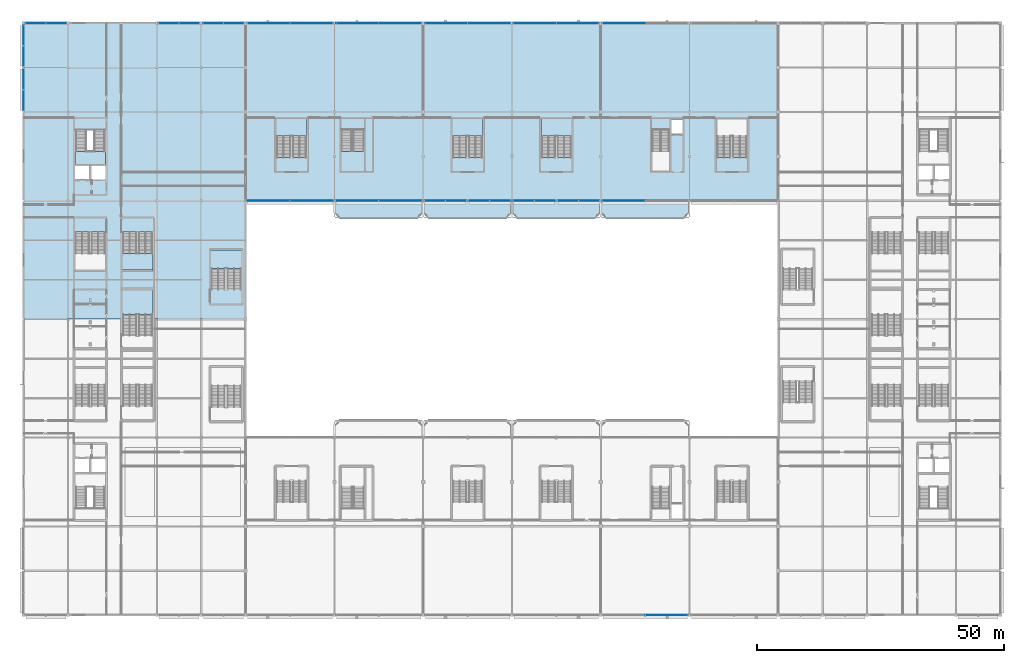
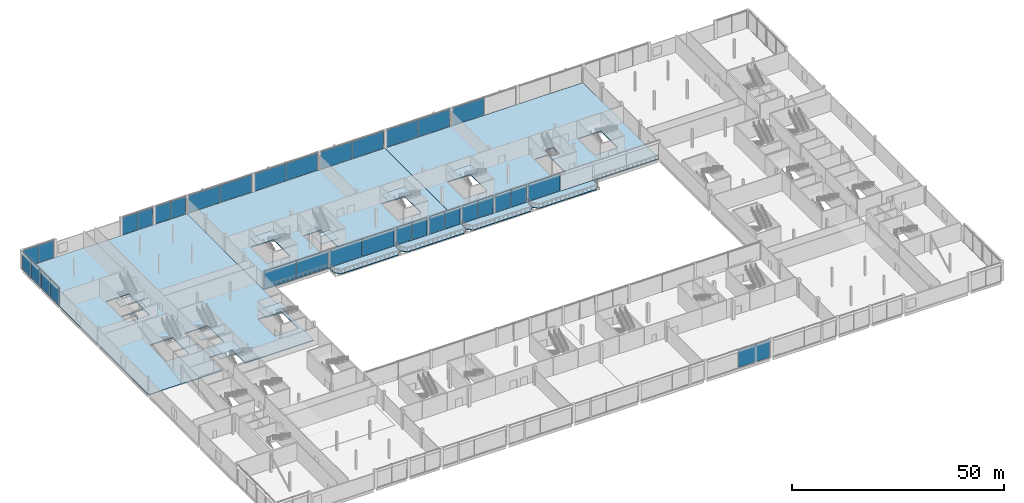
# One storey, part 61 of 113: 33 plates, 15 slabs, 26 elements without a shape of their own.
"""IFC4 building model written with IfcOpenShell, lengths in metres."""

from ifc_helpers import new_model, si_unit, direction, frame, origin, origin_2d, place, context, subcontext, project, spatial, polyline, rectangle, outline, extrude, material, layer, layer_set, type_object, element, aggregate, save


model = new_model("IFC4")

# Units and contexts
model_context = context("Model", 3, precision=1e-05, world=origin(), true_north=direction((0.0, 1.0)))
body_context = subcontext(model_context, "Body", "Model", "MODEL_VIEW")
ifc_project = project(units=[si_unit("LENGTHUNIT", "METRE"), si_unit("AREAUNIT", "SQUARE_METRE"), si_unit("VOLUMEUNIT", "CUBIC_METRE"), si_unit("PLANEANGLEUNIT", "RADIAN"), si_unit("MASSUNIT", "GRAM", prefix="KILO")], contexts=[model_context])

# Site, building, storey
site_placement = place(None, origin())
site = spatial("IfcSite", under=ifc_project, at=site_placement, CompositionType="ELEMENT")
building_placement = place(site_placement, origin())
building = spatial("IfcBuilding", under=site, at=building_placement, Name="Kisiwana Market Hall", CompositionType="ELEMENT")
storey_placement = place(building_placement, frame((0.0, 0.0, 6.0)))
storey = spatial("IfcBuildingStorey", under=building, at=storey_placement, Name="L01", CompositionType="ELEMENT", Elevation=6.0)

# Curtain wall, plates
ifc_material_1 = material(Name="Double-glazed solar-control low-E IGU", Category="glass")
ifc_layer_1 = layer(ifc_material_1, 0.159912109375)
ifc_layer_set_1 = layer_set([ifc_layer_1], Name="CW-FC-S-7600")
curtain_wall_type_1 = type_object("IfcCurtainWallType", Name="CW-FC-S-7600", PredefinedType="USERDEFINED", material=ifc_layer_set_1)
curtain_wall_1_placement = place(storey_placement, origin())
curtain_wall_1 = element("IfcCurtainWall", 1, at=curtain_wall_1_placement, inside=storey, type_object=curtain_wall_type_1, Name="Unitised curtain wall CW-025 (L01)", ObjectType="UNITISED CURTAIN WALL", PredefinedType="USERDEFINED")
ifc_material_2 = material(Name="Double-glazed solar-control low-E IGU", Category="glass")
ifc_layer_2 = layer(ifc_material_2, 0.02392578125)
ifc_layer_set_2 = layer_set([ifc_layer_2], Name="PL-IGU-24")
plate_type_1 = type_object("IfcPlateType", Name="PL-IGU-24", PredefinedType="CURTAIN_PANEL", material=ifc_layer_set_2)
plate_1_placement = place(storey_placement, frame((49.617919921875, 84.0, 0.06005859375), z_axis=(0.0, 0.0, 1.0), x_axis=(1.0, 0.0, 0.0)))
plate_1 = element("IfcPlate", 2, at=plate_1_placement, type_object=plate_type_1, Name="CW-025 panel 1.1", PredefinedType="CURTAIN_PANEL", context=body_context, shape_type="SweptSolid", body=[
    extrude(rectangle(XDim=8.7041015625, YDim=0.02392578125, at=origin_2d()), origin(), (0.0, 0.0, 1.0), 5.030029296875),
])
plate_2_placement = place(storey_placement, frame((58.382080078125, 84.0, 0.06005859375), z_axis=(0.0, 0.0, 1.0), x_axis=(1.0, 0.0, 0.0)))
plate_2 = element("IfcPlate", 3, at=plate_2_placement, type_object=plate_type_1, Name="CW-025 panel 2.1", PredefinedType="CURTAIN_PANEL", context=body_context, shape_type="SweptSolid", body=[
    extrude(rectangle(XDim=8.7041015625, YDim=0.02392578125, at=origin_2d()), origin(), (0.0, 0.0, 1.0), 5.030029296875),
])
aggregate(curtain_wall_1, [plate_1, plate_2])

curtain_wall_2_placement = place(storey_placement, origin())
curtain_wall_2 = element("IfcCurtainWall", 4, at=curtain_wall_2_placement, inside=storey, type_object=curtain_wall_type_1, Name="Unitised curtain wall CW-027 (L01)", ObjectType="UNITISED CURTAIN WALL", PredefinedType="USERDEFINED")
plate_3_placement = place(storey_placement, frame((83.367919921875, 84.0, 0.06005859375), z_axis=(0.0, 0.0, 1.0), x_axis=(1.0, 0.0, 0.0)))
plate_3 = element("IfcPlate", 5, at=plate_3_placement, type_object=plate_type_1, Name="CW-027 panel 1.1", PredefinedType="CURTAIN_PANEL", context=body_context, shape_type="SweptSolid", body=[
    extrude(rectangle(XDim=4.2041015625, YDim=0.02392578125, at=origin_2d()), origin(), (0.0, 0.0, 1.0), 5.030029296875),
])
plate_4_placement = place(storey_placement, frame((87.632080078125, 84.0, 0.06005859375), z_axis=(0.0, 0.0, 1.0), x_axis=(1.0, 0.0, 0.0)))
plate_4 = element("IfcPlate", 6, at=plate_4_placement, type_object=plate_type_1, Name="CW-027 panel 2.1", PredefinedType="CURTAIN_PANEL", context=body_context, shape_type="SweptSolid", body=[
    extrude(rectangle(XDim=4.2041015625, YDim=0.02392578125, at=origin_2d()), origin(), (0.0, 0.0, 1.0), 5.030029296875),
])
aggregate(curtain_wall_2, [plate_3, plate_4])

curtain_wall_3_placement = place(storey_placement, origin())
curtain_wall_3 = element("IfcCurtainWall", 7, at=curtain_wall_3_placement, inside=storey, type_object=curtain_wall_type_1, Name="Unitised curtain wall CW-029 (L01)", ObjectType="UNITISED CURTAIN WALL", PredefinedType="USERDEFINED")
plate_5_placement = place(storey_placement, frame((101.367919921875, 84.0, 0.06005859375), z_axis=(0.0, 0.0, 1.0), x_axis=(1.0, 0.0, 0.0)))
plate_5 = element("IfcPlate", 8, at=plate_5_placement, type_object=plate_type_1, Name="CW-029 panel 1.1", PredefinedType="CURTAIN_PANEL", context=body_context, shape_type="SweptSolid", body=[
    extrude(rectangle(XDim=4.2041015625, YDim=0.02392578125, at=origin_2d()), origin(), (0.0, 0.0, 1.0), 5.030029296875),
])
plate_6_placement = place(storey_placement, frame((105.632080078125, 84.0, 0.06005859375), z_axis=(0.0, 0.0, 1.0), x_axis=(1.0, 0.0, 0.0)))
plate_6 = element("IfcPlate", 9, at=plate_6_placement, type_object=plate_type_1, Name="CW-029 panel 2.1", PredefinedType="CURTAIN_PANEL", context=body_context, shape_type="SweptSolid", body=[
    extrude(rectangle(XDim=4.2041015625, YDim=0.02392578125, at=origin_2d()), origin(), (0.0, 0.0, 1.0), 5.030029296875),
])
aggregate(curtain_wall_3, [plate_5, plate_6])

# Curtain wall, plate
curtain_wall_4_placement = place(storey_placement, origin())
curtain_wall_4 = element("IfcCurtainWall", 10, at=curtain_wall_4_placement, inside=storey, type_object=curtain_wall_type_1, Name="Unitised curtain wall CW-031 (L01)", ObjectType="UNITISED CURTAIN WALL", PredefinedType="USERDEFINED")
plate_7_placement = place(storey_placement, frame((121.617919921875, 84.0, 0.06005859375), z_axis=(0.0, 0.0, 1.0), x_axis=(1.0, 0.0, 0.0)))
plate_7 = element("IfcPlate", 11, at=plate_7_placement, type_object=plate_type_1, Name="CW-031 panel 1.1", PredefinedType="CURTAIN_PANEL", context=body_context, shape_type="SweptSolid", body=[
    extrude(rectangle(XDim=8.7041015625, YDim=0.02392578125, at=origin_2d()), origin(), (0.0, 0.0, 1.0), 5.030029296875),
])
aggregate(curtain_wall_4, [plate_7])

# Curtain wall, plates
ifc_material_3 = material(Name="Double-glazed solar-control low-E IGU", Category="glass")
ifc_layer_3 = layer(ifc_material_3, 0.159912109375)
ifc_layer_set_3 = layer_set([ifc_layer_3], Name="CW-FC-N-8100")
curtain_wall_type_2 = type_object("IfcCurtainWallType", Name="CW-FC-N-8100", PredefinedType="USERDEFINED", material=ifc_layer_set_3)
curtain_wall_5_placement = place(storey_placement, origin())
curtain_wall_5 = element("IfcCurtainWall", 12, at=curtain_wall_5_placement, inside=storey, type_object=curtain_wall_type_2, Name="Unitised curtain wall CW-033 (L01)", ObjectType="UNITISED CURTAIN WALL", PredefinedType="USERDEFINED")
plate_8_placement = place(storey_placement, frame((2.427490234375, 120.0, 0.06005859375), z_axis=(0.0, 0.0, 1.0), x_axis=(1.0, 0.0, 0.0)))
plate_8 = element("IfcPlate", 13, at=plate_8_placement, type_object=plate_type_1, Name="CW-033 panel 1.1", PredefinedType="CURTAIN_PANEL", context=body_context, shape_type="SweptSolid", body=[
    extrude(rectangle(XDim=4.0849609375, YDim=0.02392578125, at=origin_2d()), origin(), (0.0, 0.0, 1.0), 5.030029296875),
])
plate_9_placement = place(storey_placement, frame((6.572509765625, 120.0, 0.06005859375), z_axis=(0.0, 0.0, 1.0), x_axis=(1.0, 0.0, 0.0)))
plate_9 = element("IfcPlate", 14, at=plate_9_placement, type_object=plate_type_1, Name="CW-033 panel 2.1", PredefinedType="CURTAIN_PANEL", context=body_context, shape_type="SweptSolid", body=[
    extrude(rectangle(XDim=4.0849609375, YDim=0.02392578125, at=origin_2d()), origin(), (0.0, 0.0, 1.0), 5.030029296875),
])
aggregate(curtain_wall_5, [plate_8, plate_9])

curtain_wall_6_placement = place(storey_placement, origin())
curtain_wall_6 = element("IfcCurtainWall", 15, at=curtain_wall_6_placement, inside=storey, type_object=curtain_wall_type_2, Name="Unitised curtain wall CW-035 (L01)", ObjectType="UNITISED CURTAIN WALL", PredefinedType="USERDEFINED")
plate_10_placement = place(storey_placement, frame((38.427490234375, 120.0, 0.06005859375), z_axis=(0.0, 0.0, 1.0), x_axis=(1.0, 0.0, 0.0)))
plate_10 = element("IfcPlate", 16, at=plate_10_placement, type_object=plate_type_1, Name="CW-035 panel 1.1", PredefinedType="CURTAIN_PANEL", context=body_context, shape_type="SweptSolid", body=[
    extrude(rectangle(XDim=4.0849609375, YDim=0.02392578125, at=origin_2d()), origin(), (0.0, 0.0, 1.0), 5.030029296875),
])
plate_11_placement = place(storey_placement, frame((42.572509765625, 120.0, 0.06005859375), z_axis=(0.0, 0.0, 1.0), x_axis=(1.0, 0.0, 0.0)))
plate_11 = element("IfcPlate", 17, at=plate_11_placement, type_object=plate_type_1, Name="CW-035 panel 2.1", PredefinedType="CURTAIN_PANEL", context=body_context, shape_type="SweptSolid", body=[
    extrude(rectangle(XDim=4.0849609375, YDim=0.02392578125, at=origin_2d()), origin(), (0.0, 0.0, 1.0), 5.030029296875),
])
aggregate(curtain_wall_6, [plate_10, plate_11])

curtain_wall_7_placement = place(storey_placement, origin())
curtain_wall_7 = element("IfcCurtainWall", 18, at=curtain_wall_7_placement, inside=storey, type_object=curtain_wall_type_2, Name="Unitised curtain wall CW-037 (L01)", ObjectType="UNITISED CURTAIN WALL", PredefinedType="USERDEFINED")
plate_12_placement = place(storey_placement, frame((67.677490234375, 120.0, 0.06005859375), z_axis=(0.0, 0.0, 1.0), x_axis=(1.0, 0.0, 0.0)))
plate_12 = element("IfcPlate", 19, at=plate_12_placement, type_object=plate_type_1, Name="CW-037 panel 1.1", PredefinedType="CURTAIN_PANEL", context=body_context, shape_type="SweptSolid", body=[
    extrude(rectangle(XDim=8.5849609375, YDim=0.02392578125, at=origin_2d()), origin(), (0.0, 0.0, 1.0), 5.030029296875),
])
plate_13_placement = place(storey_placement, frame((76.322509765625, 120.0, 0.06005859375), z_axis=(0.0, 0.0, 1.0), x_axis=(1.0, 0.0, 0.0)))
plate_13 = element("IfcPlate", 20, at=plate_13_placement, type_object=plate_type_1, Name="CW-037 panel 2.1", PredefinedType="CURTAIN_PANEL", context=body_context, shape_type="SweptSolid", body=[
    extrude(rectangle(XDim=8.5849609375, YDim=0.02392578125, at=origin_2d()), origin(), (0.0, 0.0, 1.0), 5.030029296875),
])
aggregate(curtain_wall_7, [plate_12, plate_13])

curtain_wall_8_placement = place(storey_placement, origin())
curtain_wall_8 = element("IfcCurtainWall", 21, at=curtain_wall_8_placement, inside=storey, type_object=curtain_wall_type_2, Name="Unitised curtain wall CW-039 (L01)", ObjectType="UNITISED CURTAIN WALL", PredefinedType="USERDEFINED")
plate_14_placement = place(storey_placement, frame((103.677490234375, 120.0, 0.06005859375), z_axis=(0.0, 0.0, 1.0), x_axis=(1.0, 0.0, 0.0)))
plate_14 = element("IfcPlate", 22, at=plate_14_placement, type_object=plate_type_1, Name="CW-039 panel 1.1", PredefinedType="CURTAIN_PANEL", context=body_context, shape_type="SweptSolid", body=[
    extrude(rectangle(XDim=8.5849609375, YDim=0.02392578125, at=origin_2d()), origin(), (0.0, 0.0, 1.0), 5.030029296875),
])
plate_15_placement = place(storey_placement, frame((112.322509765625, 120.0, 0.06005859375), z_axis=(0.0, 0.0, 1.0), x_axis=(1.0, 0.0, 0.0)))
plate_15 = element("IfcPlate", 23, at=plate_15_placement, type_object=plate_type_1, Name="CW-039 panel 2.1", PredefinedType="CURTAIN_PANEL", context=body_context, shape_type="SweptSolid", body=[
    extrude(rectangle(XDim=8.5849609375, YDim=0.02392578125, at=origin_2d()), origin(), (0.0, 0.0, 1.0), 5.030029296875),
])
aggregate(curtain_wall_8, [plate_14, plate_15])

curtain_wall_9_placement = place(storey_placement, origin())
curtain_wall_9 = element("IfcCurtainWall", 24, at=curtain_wall_9_placement, inside=storey, type_object=curtain_wall_type_1, Name="Unitised curtain wall CW-047 (L01)", ObjectType="UNITISED CURTAIN WALL", PredefinedType="USERDEFINED")
plate_16_placement = place(storey_placement, frame((0.0, 104.37744140625, 0.06005859375), z_axis=(0.0, 0.0, 1.0), x_axis=(0.0, 1.0, 0.0)))
plate_16 = element("IfcPlate", 25, at=plate_16_placement, type_object=plate_type_1, Name="CW-047 panel 1.1", PredefinedType="CURTAIN_PANEL", context=body_context, shape_type="SweptSolid", body=[
    extrude(rectangle(XDim=4.19970703125, YDim=0.02392578125, at=origin_2d()), origin(), (0.0, 0.0, 1.0), 5.030029296875),
])
plate_17_placement = place(storey_placement, frame((0.0, 108.636962890625, 0.06005859375), z_axis=(0.0, 0.0, 1.0), x_axis=(0.0, 1.0, 0.0)))
plate_17 = element("IfcPlate", 26, at=plate_17_placement, type_object=plate_type_1, Name="CW-047 panel 2.1", PredefinedType="CURTAIN_PANEL", context=body_context, shape_type="SweptSolid", body=[
    extrude(rectangle(XDim=4.19970703125, YDim=0.02392578125, at=origin_2d()), origin(), (0.0, 0.0, 1.0), 5.030029296875),
])
aggregate(curtain_wall_9, [plate_16, plate_17])

# Curtain wall, plate
curtain_wall_10_placement = place(storey_placement, origin())
curtain_wall_10 = element("IfcCurtainWall", 27, at=curtain_wall_10_placement, inside=storey, type_object=curtain_wall_type_1, Name="Unitised curtain wall CW-012 (L01)", ObjectType="UNITISED CURTAIN WALL", PredefinedType="USERDEFINED")
ifc_material_4 = material(Name="Double-glazed acoustic laminated IGU", Category="glass")
ifc_layer_4 = layer(ifc_material_4, 0.028076171875)
ifc_layer_set_4 = layer_set([ifc_layer_4], Name="PL-IGU-28")
plate_type_2 = type_object("IfcPlateType", Name="PL-IGU-28", PredefinedType="CURTAIN_PANEL", material=ifc_layer_set_4)
plate_18_placement = place(storey_placement, frame((130.322509765625, 0.0, 0.06005859375), z_axis=(0.0, 0.0, 1.0), x_axis=(1.0, 0.0, 0.0)))
plate_18 = element("IfcPlate", 28, at=plate_18_placement, type_object=plate_type_2, Name="CW-012 panel 2.1", PredefinedType="CURTAIN_PANEL", context=body_context, shape_type="SweptSolid", body=[
    extrude(rectangle(XDim=8.5849609375, YDim=0.028076171875, at=origin_2d()), origin(), (0.0, 0.0, 1.0), 5.030029296875),
])
aggregate(curtain_wall_10, [plate_18])

# Curtain wall, plates
curtain_wall_11_placement = place(storey_placement, origin())
curtain_wall_11 = element("IfcCurtainWall", 29, at=curtain_wall_11_placement, inside=storey, type_object=curtain_wall_type_1, Name="Unitised curtain wall CW-026 (L01)", ObjectType="UNITISED CURTAIN WALL", PredefinedType="USERDEFINED")
plate_19_placement = place(storey_placement, frame((67.617919921875, 84.0, 0.06005859375), z_axis=(0.0, 0.0, 1.0), x_axis=(1.0, 0.0, 0.0)))
plate_19 = element("IfcPlate", 30, at=plate_19_placement, type_object=plate_type_2, Name="CW-026 panel 1.1", PredefinedType="CURTAIN_PANEL", context=body_context, shape_type="SweptSolid", body=[
    extrude(rectangle(XDim=8.7041015625, YDim=0.028076171875, at=origin_2d()), origin(), (0.0, 0.0, 1.0), 5.030029296875),
])
plate_20_placement = place(storey_placement, frame((76.382080078125, 84.0, 0.06005859375), z_axis=(0.0, 0.0, 1.0), x_axis=(1.0, 0.0, 0.0)))
plate_20 = element("IfcPlate", 31, at=plate_20_placement, type_object=plate_type_2, Name="CW-026 panel 2.1", PredefinedType="CURTAIN_PANEL", context=body_context, shape_type="SweptSolid", body=[
    extrude(rectangle(XDim=8.7041015625, YDim=0.028076171875, at=origin_2d()), origin(), (0.0, 0.0, 1.0), 5.030029296875),
])
aggregate(curtain_wall_11, [plate_19, plate_20])

curtain_wall_12_placement = place(storey_placement, origin())
curtain_wall_12 = element("IfcCurtainWall", 32, at=curtain_wall_12_placement, inside=storey, type_object=curtain_wall_type_1, Name="Unitised curtain wall CW-028 (L01)", ObjectType="UNITISED CURTAIN WALL", PredefinedType="USERDEFINED")
plate_21_placement = place(storey_placement, frame((92.367919921875, 84.0, 0.06005859375), z_axis=(0.0, 0.0, 1.0), x_axis=(1.0, 0.0, 0.0)))
plate_21 = element("IfcPlate", 33, at=plate_21_placement, type_object=plate_type_2, Name="CW-028 panel 1.1", PredefinedType="CURTAIN_PANEL", context=body_context, shape_type="SweptSolid", body=[
    extrude(rectangle(XDim=4.2041015625, YDim=0.028076171875, at=origin_2d()), origin(), (0.0, 0.0, 1.0), 5.030029296875),
])
plate_22_placement = place(storey_placement, frame((96.632080078125, 84.0, 0.06005859375), z_axis=(0.0, 0.0, 1.0), x_axis=(1.0, 0.0, 0.0)))
plate_22 = element("IfcPlate", 34, at=plate_22_placement, type_object=plate_type_2, Name="CW-028 panel 2.1", PredefinedType="CURTAIN_PANEL", context=body_context, shape_type="SweptSolid", body=[
    extrude(rectangle(XDim=4.2041015625, YDim=0.028076171875, at=origin_2d()), origin(), (0.0, 0.0, 1.0), 5.030029296875),
])
aggregate(curtain_wall_12, [plate_21, plate_22])

curtain_wall_13_placement = place(storey_placement, origin())
curtain_wall_13 = element("IfcCurtainWall", 35, at=curtain_wall_13_placement, inside=storey, type_object=curtain_wall_type_1, Name="Unitised curtain wall CW-030 (L01)", ObjectType="UNITISED CURTAIN WALL", PredefinedType="USERDEFINED")
plate_23_placement = place(storey_placement, frame((110.367919921875, 84.0, 0.06005859375), z_axis=(0.0, 0.0, 1.0), x_axis=(1.0, 0.0, 0.0)))
plate_23 = element("IfcPlate", 36, at=plate_23_placement, type_object=plate_type_2, Name="CW-030 panel 1.1", PredefinedType="CURTAIN_PANEL", context=body_context, shape_type="SweptSolid", body=[
    extrude(rectangle(XDim=4.2041015625, YDim=0.028076171875, at=origin_2d()), origin(), (0.0, 0.0, 1.0), 5.030029296875),
])
plate_24_placement = place(storey_placement, frame((114.632080078125, 84.0, 0.06005859375), z_axis=(0.0, 0.0, 1.0), x_axis=(1.0, 0.0, 0.0)))
plate_24 = element("IfcPlate", 37, at=plate_24_placement, type_object=plate_type_2, Name="CW-030 panel 2.1", PredefinedType="CURTAIN_PANEL", context=body_context, shape_type="SweptSolid", body=[
    extrude(rectangle(XDim=4.2041015625, YDim=0.028076171875, at=origin_2d()), origin(), (0.0, 0.0, 1.0), 5.030029296875),
])
aggregate(curtain_wall_13, [plate_23, plate_24])

curtain_wall_14_placement = place(storey_placement, origin())
curtain_wall_14 = element("IfcCurtainWall", 38, at=curtain_wall_14_placement, inside=storey, type_object=curtain_wall_type_2, Name="Unitised curtain wall CW-034 (L01)", ObjectType="UNITISED CURTAIN WALL", PredefinedType="USERDEFINED")
plate_25_placement = place(storey_placement, frame((29.427490234375, 120.0, 0.06005859375), z_axis=(0.0, 0.0, 1.0), x_axis=(1.0, 0.0, 0.0)))
plate_25 = element("IfcPlate", 39, at=plate_25_placement, type_object=plate_type_2, Name="CW-034 panel 1.1", PredefinedType="CURTAIN_PANEL", context=body_context, shape_type="SweptSolid", body=[
    extrude(rectangle(XDim=4.0849609375, YDim=0.028076171875, at=origin_2d()), origin(), (0.0, 0.0, 1.0), 5.030029296875),
])
plate_26_placement = place(storey_placement, frame((33.572509765625, 120.0, 0.06005859375), z_axis=(0.0, 0.0, 1.0), x_axis=(1.0, 0.0, 0.0)))
plate_26 = element("IfcPlate", 40, at=plate_26_placement, type_object=plate_type_2, Name="CW-034 panel 2.1", PredefinedType="CURTAIN_PANEL", context=body_context, shape_type="SweptSolid", body=[
    extrude(rectangle(XDim=4.0849609375, YDim=0.028076171875, at=origin_2d()), origin(), (0.0, 0.0, 1.0), 5.030029296875),
])
aggregate(curtain_wall_14, [plate_25, plate_26])

curtain_wall_15_placement = place(storey_placement, origin())
curtain_wall_15 = element("IfcCurtainWall", 41, at=curtain_wall_15_placement, inside=storey, type_object=curtain_wall_type_2, Name="Unitised curtain wall CW-036 (L01)", ObjectType="UNITISED CURTAIN WALL", PredefinedType="USERDEFINED")
plate_27_placement = place(storey_placement, frame((49.677490234375, 120.0, 0.06005859375), z_axis=(0.0, 0.0, 1.0), x_axis=(1.0, 0.0, 0.0)))
plate_27 = element("IfcPlate", 42, at=plate_27_placement, type_object=plate_type_2, Name="CW-036 panel 1.1", PredefinedType="CURTAIN_PANEL", context=body_context, shape_type="SweptSolid", body=[
    extrude(rectangle(XDim=8.5849609375, YDim=0.028076171875, at=origin_2d()), origin(), (0.0, 0.0, 1.0), 5.030029296875),
])
plate_28_placement = place(storey_placement, frame((58.322509765625, 120.0, 0.06005859375), z_axis=(0.0, 0.0, 1.0), x_axis=(1.0, 0.0, 0.0)))
plate_28 = element("IfcPlate", 43, at=plate_28_placement, type_object=plate_type_2, Name="CW-036 panel 2.1", PredefinedType="CURTAIN_PANEL", context=body_context, shape_type="SweptSolid", body=[
    extrude(rectangle(XDim=8.5849609375, YDim=0.028076171875, at=origin_2d()), origin(), (0.0, 0.0, 1.0), 5.030029296875),
])
aggregate(curtain_wall_15, [plate_27, plate_28])

curtain_wall_16_placement = place(storey_placement, origin())
curtain_wall_16 = element("IfcCurtainWall", 44, at=curtain_wall_16_placement, inside=storey, type_object=curtain_wall_type_2, Name="Unitised curtain wall CW-038 (L01)", ObjectType="UNITISED CURTAIN WALL", PredefinedType="USERDEFINED")
plate_29_placement = place(storey_placement, frame((85.677490234375, 120.0, 0.06005859375), z_axis=(0.0, 0.0, 1.0), x_axis=(1.0, 0.0, 0.0)))
plate_29 = element("IfcPlate", 45, at=plate_29_placement, type_object=plate_type_2, Name="CW-038 panel 1.1", PredefinedType="CURTAIN_PANEL", context=body_context, shape_type="SweptSolid", body=[
    extrude(rectangle(XDim=8.5849609375, YDim=0.028076171875, at=origin_2d()), origin(), (0.0, 0.0, 1.0), 5.030029296875),
])
plate_30_placement = place(storey_placement, frame((94.322509765625, 120.0, 0.06005859375), z_axis=(0.0, 0.0, 1.0), x_axis=(1.0, 0.0, 0.0)))
plate_30 = element("IfcPlate", 46, at=plate_30_placement, type_object=plate_type_2, Name="CW-038 panel 2.1", PredefinedType="CURTAIN_PANEL", context=body_context, shape_type="SweptSolid", body=[
    extrude(rectangle(XDim=8.5849609375, YDim=0.028076171875, at=origin_2d()), origin(), (0.0, 0.0, 1.0), 5.030029296875),
])
aggregate(curtain_wall_16, [plate_29, plate_30])

# Curtain wall, plate
curtain_wall_17_placement = place(storey_placement, origin())
curtain_wall_17 = element("IfcCurtainWall", 47, at=curtain_wall_17_placement, inside=storey, type_object=curtain_wall_type_2, Name="Unitised curtain wall CW-040 (L01)", ObjectType="UNITISED CURTAIN WALL", PredefinedType="USERDEFINED")
plate_31_placement = place(storey_placement, frame((121.677490234375, 120.0, 0.06005859375), z_axis=(0.0, 0.0, 1.0), x_axis=(1.0, 0.0, 0.0)))
plate_31 = element("IfcPlate", 48, at=plate_31_placement, type_object=plate_type_2, Name="CW-040 panel 1.1", PredefinedType="CURTAIN_PANEL", context=body_context, shape_type="SweptSolid", body=[
    extrude(rectangle(XDim=8.5849609375, YDim=0.028076171875, at=origin_2d()), origin(), (0.0, 0.0, 1.0), 5.030029296875),
])
aggregate(curtain_wall_17, [plate_31])

# Curtain wall, plates
curtain_wall_18_placement = place(storey_placement, origin())
curtain_wall_18 = element("IfcCurtainWall", 49, at=curtain_wall_18_placement, inside=storey, type_object=curtain_wall_type_1, Name="Unitised curtain wall CW-048 (L01)", ObjectType="UNITISED CURTAIN WALL", PredefinedType="USERDEFINED")
plate_32_placement = place(storey_placement, frame((0.0, 113.336181640625, 0.06005859375), z_axis=(0.0, 0.0, 1.0), x_axis=(0.0, 1.0, 0.0)))
plate_32 = element("IfcPlate", 50, at=plate_32_placement, type_object=plate_type_2, Name="CW-048 panel 1.1", PredefinedType="CURTAIN_PANEL", context=body_context, shape_type="SweptSolid", body=[
    extrude(rectangle(XDim=4.14599609375, YDim=0.028076171875, at=origin_2d()), origin(), (0.0, 0.0, 1.0), 5.030029296875),
])
plate_33_placement = place(storey_placement, frame((0.0, 117.5419921875, 0.06005859375), z_axis=(0.0, 0.0, 1.0), x_axis=(0.0, 1.0, 0.0)))
plate_33 = element("IfcPlate", 51, at=plate_33_placement, type_object=plate_type_2, Name="CW-048 panel 2.1", PredefinedType="CURTAIN_PANEL", context=body_context, shape_type="SweptSolid", body=[
    extrude(rectangle(XDim=4.14599609375, YDim=0.028076171875, at=origin_2d()), origin(), (0.0, 0.0, 1.0), 5.030029296875),
])
aggregate(curtain_wall_18, [plate_32, plate_33])

# Stair, slab
ifc_material_5 = material(Name="Concrete C32/40", Category="concrete")
stair_type_1 = type_object("IfcStairType", Name="ST-POD-5400", PredefinedType="TWO_STRAIGHT_RUN_STAIR", material=ifc_material_5)
stair_1_placement = place(storey_placement, origin())
stair_1 = element("IfcStair", 52, at=stair_1_placement, inside=storey, type_object=stair_type_1, Name="Escape stair ST-W1-L01", PredefinedType="TWO_STRAIGHT_RUN_STAIR")
ifc_material_6 = material(Name="Concrete C32/40", Category="concrete")
ifc_layer_5 = layer(ifc_material_6, 0.239990234375)
ifc_layer_set_5 = layer_set([ifc_layer_5], Name="SL-LANDING-160")
slab_type_1 = type_object("IfcSlabType", Name="SL-LANDING-160", PredefinedType="LANDING", material=ifc_layer_set_5)
slab_1_placement = place(storey_placement, frame((0.0, 0.0, 2.4599609375)))
slab_1 = element("IfcSlab", 53, at=slab_1_placement, type_object=slab_type_1, Name="ST-W1-L01 landing 1 S-128", PredefinedType="LANDING", context=body_context, shape_type="SweptSolid", body=[
    extrude(outline(polyline([(10.405029296875, 91.35498046875), (16.594970703125, 91.35498046875), (16.594970703125, 93.97607421875), (10.405029296875, 93.97607421875), (10.405029296875, 91.35498046875)])), origin(), (0.0, 0.0, 1.0), 0.239990234375),
])
aggregate(stair_1, [slab_1])

stair_2_placement = place(storey_placement, origin())
stair_2 = element("IfcStair", 54, at=stair_2_placement, inside=storey, type_object=stair_type_1, Name="Escape stair ST-N1-L01", PredefinedType="TWO_STRAIGHT_RUN_STAIR")
slab_2_placement = place(storey_placement, frame((0.0, 0.0, 2.4599609375)))
slab_2 = element("IfcSlab", 55, at=slab_2_placement, type_object=slab_type_1, Name="ST-N1-L01 landing 1 S-116", PredefinedType="LANDING", context=body_context, shape_type="SweptSolid", body=[
    extrude(outline(polyline([(64.340087890625, 89.93994140625), (69.080078125, 89.93994140625), (69.080078125, 94.041015625), (64.340087890625, 94.041015625), (64.340087890625, 89.93994140625)])), origin(), (0.0, 0.0, 1.0), 0.239990234375),
])
aggregate(stair_2, [slab_2])

ifc_material_7 = material(Name="Concrete C32/40", Category="concrete")
stair_type_2 = type_object("IfcStairType", Name="ST-ESC-5400", PredefinedType="TWO_STRAIGHT_RUN_STAIR", material=ifc_material_7)
stair_3_placement = place(storey_placement, origin())
stair_3 = element("IfcStair", 56, at=stair_3_placement, inside=storey, type_object=stair_type_2, Name="Escape stair ST-W8-L01", PredefinedType="TWO_STRAIGHT_RUN_STAIR")
slab_3_placement = place(storey_placement, frame((0.0, 0.0, 2.4599609375)))
slab_3 = element("IfcSlab", 57, at=slab_3_placement, type_object=slab_type_1, Name="ST-W8-L01 landing 1 S-135", PredefinedType="LANDING", context=body_context, shape_type="SweptSolid", body=[
    extrude(outline(polyline([(19.93994140625, 69.93994140625), (26.260009765625, 69.93994140625), (26.260009765625, 73.29052734375), (19.93994140625, 73.29052734375), (19.93994140625, 69.93994140625)])), origin(), (0.0, 0.0, 1.0), 0.239990234375),
])
aggregate(stair_3, [slab_3])

stair_4_placement = place(storey_placement, origin())
stair_4 = element("IfcStair", 58, at=stair_4_placement, inside=storey, type_object=stair_type_2, Name="Escape stair ST-W10-L01", PredefinedType="TWO_STRAIGHT_RUN_STAIR")
slab_4_placement = place(storey_placement, frame((0.0, 0.0, 2.4599609375)))
slab_4 = element("IfcSlab", 59, at=slab_4_placement, type_object=slab_type_1, Name="ST-W10-L01 landing 1 S-129", PredefinedType="LANDING", context=body_context, shape_type="SweptSolid", body=[
    extrude(outline(polyline([(37.909912109375, 70.3095703125), (44.22998046875, 70.3095703125), (44.22998046875, 74.06005859375), (37.909912109375, 74.06005859375), (37.909912109375, 70.3095703125)])), origin(), (0.0, 0.0, 1.0), 0.239990234375),
])
aggregate(stair_4, [slab_4])

stair_5_placement = place(storey_placement, origin())
stair_5 = element("IfcStair", 60, at=stair_5_placement, inside=storey, type_object=stair_type_2, Name="Escape stair ST-W5-L01", PredefinedType="TWO_STRAIGHT_RUN_STAIR")
slab_5_placement = place(storey_placement, frame((0.0, 0.0, 2.4599609375)))
slab_5 = element("IfcSlab", 61, at=slab_5_placement, type_object=slab_type_1, Name="ST-W5-L01 landing 1 S-133", PredefinedType="LANDING", context=body_context, shape_type="SweptSolid", body=[
    extrude(outline(polyline([(19.93994140625, 60.989501953125), (26.260009765625, 60.989501953125), (26.260009765625, 66.179931640625), (19.93994140625, 66.179931640625), (19.93994140625, 60.989501953125)])), origin(), (0.0, 0.0, 1.0), 0.239990234375),
])
aggregate(stair_5, [slab_5])

stair_6_placement = place(storey_placement, origin())
stair_6 = element("IfcStair", 62, at=stair_6_placement, inside=storey, type_object=stair_type_2, Name="Escape stair ST-N3-L01", PredefinedType="TWO_STRAIGHT_RUN_STAIR")
slab_6_placement = place(storey_placement, frame((0.0, 0.0, 2.4599609375)))
slab_6 = element("IfcSlab", 63, at=slab_6_placement, type_object=slab_type_1, Name="ST-N3-L01 landing 1 S-118", PredefinedType="LANDING", context=body_context, shape_type="SweptSolid", body=[
    extrude(outline(polyline([(51.139892578125, 97.109619140625), (57.4599609375, 97.109619140625), (57.4599609375, 100.659912109375), (51.139892578125, 100.659912109375), (51.139892578125, 97.109619140625)])), origin(), (0.0, 0.0, 1.0), 0.239990234375),
])
aggregate(stair_6, [slab_6])

stair_7_placement = place(storey_placement, origin())
stair_7 = element("IfcStair", 64, at=stair_7_placement, inside=storey, type_object=stair_type_2, Name="Escape stair ST-N4-L01", PredefinedType="TWO_STRAIGHT_RUN_STAIR")
slab_7_placement = place(storey_placement, frame((0.0, 0.0, 2.4599609375)))
slab_7 = element("IfcSlab", 65, at=slab_7_placement, type_object=slab_type_1, Name="ST-N4-L01 landing 1 S-119", PredefinedType="LANDING", context=body_context, shape_type="SweptSolid", body=[
    extrude(outline(polyline([(86.840087890625, 97.109619140625), (93.159912109375, 97.109619140625), (93.159912109375, 100.659912109375), (86.840087890625, 100.659912109375), (86.840087890625, 97.109619140625)])), origin(), (0.0, 0.0, 1.0), 0.239990234375),
])
aggregate(stair_7, [slab_7])

stair_8_placement = place(storey_placement, origin())
stair_8 = element("IfcStair", 66, at=stair_8_placement, inside=storey, type_object=stair_type_2, Name="Escape stair ST-N5-L01", PredefinedType="TWO_STRAIGHT_RUN_STAIR")
slab_8_placement = place(storey_placement, frame((0.0, 0.0, 2.4599609375)))
slab_8 = element("IfcSlab", 67, at=slab_8_placement, type_object=slab_type_1, Name="ST-N5-L01 landing 1 S-120", PredefinedType="LANDING", context=body_context, shape_type="SweptSolid", body=[
    extrude(outline(polyline([(104.840087890625, 97.109619140625), (111.159912109375, 97.109619140625), (111.159912109375, 100.659912109375), (104.840087890625, 100.659912109375), (104.840087890625, 97.109619140625)])), origin(), (0.0, 0.0, 1.0), 0.239990234375),
])
aggregate(stair_8, [slab_8])

# Slabs
ifc_material_8 = material(Name="Concrete C32/40", Category="concrete")
ifc_layer_6 = layer(ifc_material_8, 0.25)
ifc_layer_set_6 = layer_set([ifc_layer_6], Name="SL-POD-220")
slab_type_2 = type_object("IfcSlabType", Name="SL-POD-220", PredefinedType="FLOOR", material=ifc_layer_set_6)
slab_9_placement = place(storey_placement, frame((0.0, 0.0, -0.25)))
element("IfcSlab", 68, at=slab_9_placement, inside=storey, type_object=slab_type_2, Name="Structural slab S-092", PredefinedType="FLOOR", context=body_context, shape_type="SweptSolid", body=[
    extrude(outline(polyline([(0.0, 60.0), (19.9599609375, 60.0), (19.9599609375, 66.159912109375), (26.239990234375, 66.159912109375), (26.239990234375, 60.0), (45.0, 60.0), (45.0, 120.0), (0.0, 120.0), (0.0, 60.0)]), holes=[polyline([(10.425048828125, 91.375), (16.574951171875, 91.375), (16.574951171875, 98.324951171875), (10.425048828125, 98.324951171875), (10.425048828125, 91.375)]), polyline([(10.425048828125, 88.324951171875), (13.340087890625, 88.324951171875), (13.340087890625, 91.054931640625), (10.425048828125, 91.054931640625), (10.425048828125, 88.324951171875)]), polyline([(13.659912109375, 88.324951171875), (16.574951171875, 88.324951171875), (16.574951171875, 91.054931640625), (13.659912109375, 91.054931640625), (13.659912109375, 88.324951171875)]), polyline([(10.360107421875, 69.9599609375), (16.639892578125, 69.9599609375), (16.639892578125, 77.6201171875), (10.360107421875, 77.6201171875), (10.360107421875, 69.9599609375)]), polyline([(19.9599609375, 69.9599609375), (26.239990234375, 69.9599609375), (26.239990234375, 77.6201171875), (19.9599609375, 77.6201171875), (19.9599609375, 69.9599609375)]), polyline([(37.929931640625, 65.97998046875), (44.2099609375, 65.97998046875), (44.2099609375, 74.0400390625), (37.929931640625, 74.0400390625), (37.929931640625, 65.97998046875)])]), origin(), (0.0, 0.0, 1.0), 0.25),
])
slab_10_placement = place(storey_placement, frame((0.0, 0.0, -0.25)))
element("IfcSlab", 69, at=slab_10_placement, inside=storey, type_object=slab_type_2, Name="Structural slab S-097", PredefinedType="FLOOR", context=body_context, shape_type="SweptSolid", body=[
    extrude(outline(polyline([(45.0, 84.0), (99.0, 84.0), (99.0, 120.0), (45.0, 120.0), (45.0, 84.0)]), holes=[polyline([(64.360107421875, 89.9599609375), (69.06005859375, 89.9599609375), (69.06005859375, 98.389892578125), (64.360107421875, 98.389892578125), (64.360107421875, 89.9599609375)]), polyline([(51.159912109375, 92.780029296875), (57.43994140625, 92.780029296875), (57.43994140625, 100.639892578125), (51.159912109375, 100.639892578125), (51.159912109375, 92.780029296875)]), polyline([(86.860107421875, 92.780029296875), (93.139892578125, 92.780029296875), (93.139892578125, 100.639892578125), (86.860107421875, 100.639892578125), (86.860107421875, 92.780029296875)])]), origin(), (0.0, 0.0, 1.0), 0.25),
])
slab_11_placement = place(storey_placement, frame((0.0, 0.0, -0.25)))
element("IfcSlab", 70, at=slab_11_placement, inside=storey, type_object=slab_type_2, Name="Structural slab S-098", PredefinedType="FLOOR", context=body_context, shape_type="SweptSolid", body=[
    extrude(outline(polyline([(99.0, 84.0), (153.0, 84.0), (153.0, 120.0), (99.0, 120.0), (99.0, 84.0)]), holes=[polyline([(127.360107421875, 89.9599609375), (130.9599609375, 89.9599609375), (130.9599609375, 98.389892578125), (127.360107421875, 98.389892578125), (127.360107421875, 89.9599609375)]), polyline([(131.280029296875, 97.5400390625), (133.639892578125, 97.5400390625), (133.639892578125, 100.43994140625), (131.280029296875, 100.43994140625), (131.280029296875, 97.5400390625)]), polyline([(104.860107421875, 92.780029296875), (111.139892578125, 92.780029296875), (111.139892578125, 100.639892578125), (104.860107421875, 100.639892578125), (104.860107421875, 92.780029296875)]), polyline([(140.4599609375, 92.780029296875), (146.739990234375, 92.780029296875), (146.739990234375, 100.639892578125), (140.4599609375, 100.639892578125), (140.4599609375, 92.780029296875)])]), origin(), (0.0, 0.0, 1.0), 0.25),
])
ifc_material_9 = material(Name="Concrete C32/40", Category="concrete")
ifc_layer_7 = layer(ifc_material_9, 0.199951171875)
ifc_layer_set_7 = layer_set([ifc_layer_7], Name="SL-PROW-200")
slab_type_3 = type_object("IfcSlabType", Name="SL-PROW-200", PredefinedType="FLOOR", material=ifc_layer_set_7)
slab_12_placement = place(storey_placement, frame((0.0, 0.0, -0.199951171875)))
element("IfcSlab", 71, at=slab_12_placement, inside=storey, type_object=slab_type_3, Name="Food court dining prow slab S-099", PredefinedType="FLOOR", context=body_context, shape_type="SweptSolid", body=[
    extrude(outline(polyline([(63.0, 84.0), (63.0, 81.60009765625), (64.199951171875, 80.39990234375), (79.800048828125, 80.39990234375), (81.0, 81.60009765625), (81.0, 84.0), (63.0, 84.0)])), origin(), (0.0, 0.0, 1.0), 0.199951171875),
])
slab_13_placement = place(storey_placement, frame((0.0, 0.0, -0.199951171875)))
element("IfcSlab", 72, at=slab_13_placement, inside=storey, type_object=slab_type_3, Name="Food court dining prow slab S-100", PredefinedType="FLOOR", context=body_context, shape_type="SweptSolid", body=[
    extrude(outline(polyline([(81.0, 84.0), (81.0, 81.60009765625), (82.199951171875, 80.39990234375), (97.800048828125, 80.39990234375), (99.0, 81.60009765625), (99.0, 84.0), (81.0, 84.0)])), origin(), (0.0, 0.0, 1.0), 0.199951171875),
])
slab_14_placement = place(storey_placement, frame((0.0, 0.0, -0.199951171875)))
element("IfcSlab", 73, at=slab_14_placement, inside=storey, type_object=slab_type_3, Name="Food court dining prow slab S-101", PredefinedType="FLOOR", context=body_context, shape_type="SweptSolid", body=[
    extrude(outline(polyline([(99.0, 84.0), (99.0, 81.60009765625), (100.199951171875, 80.39990234375), (115.800048828125, 80.39990234375), (117.0, 81.60009765625), (117.0, 84.0), (99.0, 84.0)])), origin(), (0.0, 0.0, 1.0), 0.199951171875),
])
slab_15_placement = place(storey_placement, frame((0.0, 0.0, -0.199951171875)))
element("IfcSlab", 74, at=slab_15_placement, inside=storey, type_object=slab_type_3, Name="Food court dining prow slab S-102", PredefinedType="FLOOR", context=body_context, shape_type="SweptSolid", body=[
    extrude(outline(polyline([(117.0, 84.0), (117.0, 81.60009765625), (118.199951171875, 80.39990234375), (133.800048828125, 80.39990234375), (135.0, 81.60009765625), (135.0, 84.0), (117.0, 84.0)])), origin(), (0.0, 0.0, 1.0), 0.199951171875),
])

save(model, "model.ifc")
